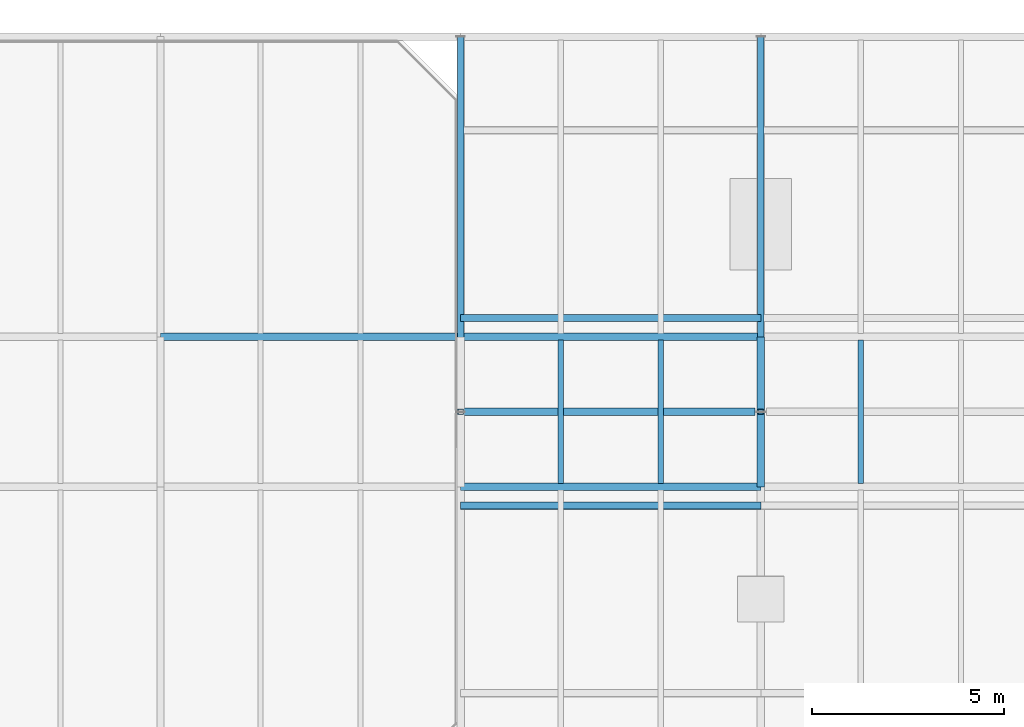
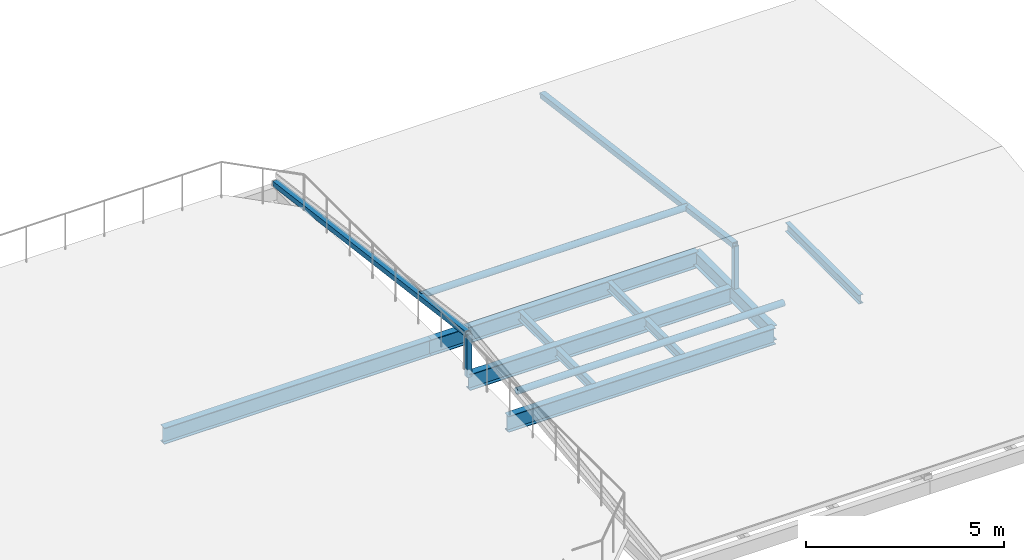
# One storey, part 13 of 45: 8 beams, 6 members.
"""IFC4 building model written with IfcOpenShell, lengths in metres."""

from ifc_helpers import new_model, si_unit, direction, frame, origin, origin_2d, place, context, subcontext, project, spatial, hollow_rectangle, hollow_circle, i_section, extrude, material, material_profile, profile_set, type_object, element, save


model = new_model("IFC4")

# Units and contexts
model_context = context("Model", 3, precision=1e-05, world=origin(), true_north=direction((0.0, 1.0)))
body_context = subcontext(model_context, "Body", "Model", "MODEL_VIEW")
ifc_project = project(units=[si_unit("LENGTHUNIT", "METRE"), si_unit("AREAUNIT", "SQUARE_METRE"), si_unit("VOLUMEUNIT", "CUBIC_METRE"), si_unit("PLANEANGLEUNIT", "RADIAN"), si_unit("MASSUNIT", "GRAM", prefix="KILO")], contexts=[model_context])

# Site, building, storey
site_placement = place(None, origin())
site = spatial("IfcSite", under=ifc_project, at=site_placement, CompositionType="ELEMENT")
building_placement = place(site_placement, origin())
building = spatial("IfcBuilding", under=site, at=building_placement, Name="Celorna Specialist Clinic", CompositionType="ELEMENT")
storey_placement = place(building_placement, frame((0.0, 0.0, 18.60009765625)))
storey = spatial("IfcBuildingStorey", under=building, at=storey_placement, Name="L04", CompositionType="ELEMENT", Elevation=18.60009765625)

# Beams
ifc_material = material(Name="Steel S355", Category="steel")
ifc_material_profile_1 = material_profile(ifc_material, i_section(OverallWidth=0.199951171875, OverallDepth=0.5, WebThickness=0.01025390625, FlangeThickness=0.01611328125, at=origin_2d()), Name="IPE 500")
ifc_profile_set_1 = profile_set([ifc_material_profile_1], Name="Steel S355")
beam_type_1 = type_object("IfcBeamType", Name="BM-08", PredefinedType="BEAM", material=ifc_profile_set_1)
for number, where, z_axis, x_axis, name in (
    (1, (117.0, 104.300048828125, -0.510009765625), (1.0, 0.0, 0.0), (0.0, 1.0, 0.0), "Primary girder BM-08 #2317"),
    (2, (109.199951171875, 108.199951171875, -0.510009765625), (1.0, 0.0, 0.0), (0.0, 1.0, 0.0), "Primary girder BM-08 #2321"),
    (3, (117.0, 108.199951171875, -0.510009765625), (1.0, 0.0, 0.0), (0.0, 1.0, 0.0), "Primary girder BM-08 #2322"),
):
    element("IfcBeam", number, at=place(storey_placement, frame(where, z_axis=z_axis, x_axis=x_axis)), inside=storey, type_object=beam_type_1, Name=name, PredefinedType="BEAM", context=body_context, shape_type="SweptSolid", body=[
        extrude(i_section(OverallWidth=0.199951171875, OverallDepth=0.5, WebThickness=0.01025390625, FlangeThickness=0.01611328125, at=origin_2d()), origin(), (0.0, 0.0, 1.0), 7.800048828125),
    ])
beam_1_placement = place(storey_placement, frame((117.0, 106.25, -0.400146484375), z_axis=(1.0, 0.0, 0.0), x_axis=(0.0, 1.0, 0.0)))
element("IfcBeam", 4, at=beam_1_placement, inside=storey, type_object=beam_type_1, Name="V4 central pavilion roof ridge girder", PredefinedType="BEAM", context=body_context, shape_type="SweptSolid", body=[
    extrude(i_section(OverallWidth=0.199951171875, OverallDepth=0.5, WebThickness=0.01025390625, FlangeThickness=0.01611328125, at=origin_2d()), origin(), (0.0, 0.0, 1.0), 7.64990234375),
])
ifc_material_profile_2 = material_profile(ifc_material, i_section(OverallWidth=0.18994140625, OverallDepth=0.449951171875, WebThickness=0.009521484375, FlangeThickness=0.0146484375, at=origin_2d()), Name="IPE 450")
ifc_profile_set_2 = profile_set([ifc_material_profile_2], Name="Steel S355")
beam_type_2 = type_object("IfcBeamType", Name="BM-09", PredefinedType="BEAM", material=ifc_profile_set_2)
beam_2_placement = place(storey_placement, frame((124.800048828125, 104.300048828125, -0.485107421875), z_axis=(0.0, 1.0, 0.0), x_axis=(-1.0, 0.0, 0.0)))
element("IfcBeam", 5, at=beam_2_placement, inside=storey, type_object=beam_type_2, Name="Transverse girder BM-09 #2339", PredefinedType="BEAM", context=body_context, shape_type="SweptSolid", body=[
    extrude(i_section(OverallWidth=0.18994140625, OverallDepth=0.449951171875, WebThickness=0.009521484375, FlangeThickness=0.0146484375, at=origin_2d()), origin(), (0.0, 0.0, 1.0), 3.89990234375),
])
ifc_material_profile_3 = material_profile(ifc_material, i_section(OverallWidth=0.135009765625, OverallDepth=0.27001953125, WebThickness=0.006591796875, FlangeThickness=0.01025390625, at=origin_2d()), Name="IPE 270")
ifc_profile_set_3 = profile_set([ifc_material_profile_3], Name="Steel S355")
beam_type_3 = type_object("IfcBeamType", Name="BM-14", PredefinedType="JOIST", material=ifc_profile_set_3)
for number, where, z_axis, x_axis, name in (
    (6, (119.60009765625, 104.387939453125, -0.39501953125), (0.0, 1.0, 0.0), (-1.0, 0.0, 0.0), "Secondary floor joist BM-14 #2364"),
    (7, (122.199951171875, 104.387939453125, -0.39501953125), (0.0, 1.0, 0.0), (-1.0, 0.0, 0.0), "Secondary floor joist BM-14 #2365"),
    (8, (127.39990234375, 104.387939453125, -0.39501953125), (0.0, 1.0, 0.0), (-1.0, 0.0, 0.0), "Secondary floor joist BM-14 #2370"),
):
    element("IfcBeam", number, at=place(storey_placement, frame(where, z_axis=z_axis, x_axis=x_axis)), inside=storey, type_object=beam_type_3, Name=name, PredefinedType="JOIST", context=body_context, shape_type="SweptSolid", body=[
        extrude(i_section(OverallWidth=0.135009765625, OverallDepth=0.27001953125, WebThickness=0.006591796875, FlangeThickness=0.01025390625, at=origin_2d()), origin(), (0.0, 0.0, 1.0), 3.72412109375),
    ])

# Members
ifc_material_profile_4 = material_profile(ifc_material, hollow_circle(Radius=0.096923828125, WallThickness=0.010009765625, at=origin_2d()), Name="CHS 193.7x10")
ifc_profile_set_4 = profile_set([ifc_material_profile_4], Name="Steel S355")
member_type_1 = type_object("IfcMemberType", Name="MB-04", PredefinedType="PURLIN", material=ifc_profile_set_4)
for number, where, z_axis, x_axis, name in (
    (9, (117.0, 103.8125, 0.760498046875), (1.0, 0.0, 0.0), (0.0, 1.0, 0.0), "Roof purlin WP-377-WP-378"),
    (10, (117.0, 108.6875, 0.760498046875), (1.0, 0.0, 0.0), (0.0, 1.0, 0.0), "Roof purlin WP-383-WP-384"),
):
    element("IfcMember", number, at=place(storey_placement, frame(where, z_axis=z_axis, x_axis=x_axis)), inside=storey, type_object=member_type_1, Name=name, PredefinedType="PURLIN", context=body_context, shape_type="SweptSolid", body=[
        extrude(hollow_circle(Radius=0.096923828125, WallThickness=0.010009765625, at=origin_2d()), origin(), (0.0, 0.0, 1.0), 7.800048828125),
    ])
ifc_material_profile_5 = material_profile(ifc_material, hollow_rectangle(XDim=0.159912109375, YDim=0.159912109375, WallThickness=0.010009765625, at=origin_2d()), Name="SHS 160x160x10")
ifc_profile_set_5 = profile_set([ifc_material_profile_5], Name="Steel S355")
member_type_2 = type_object("IfcMemberType", Name="MB-09", PredefinedType="CHORD", material=ifc_profile_set_5)
for number, where, z_axis, x_axis, name in (
    (11, (117.0, 106.25, 1.06787109375), (0.0, 0.991622826619, -0.129167216148), (-1.0, 0.0, 0.0), "Pitched roof rafter chord WP-369-WP-380"),
    (12, (124.800048828125, 106.25, 1.06787109375), (0.0, 0.991622826619, -0.129167216148), (-1.0, 0.0, 0.0), "Pitched roof rafter chord WP-371-WP-381"),
):
    element("IfcMember", number, at=place(storey_placement, frame(where, z_axis=z_axis, x_axis=x_axis)), inside=storey, type_object=member_type_2, Name=name, PredefinedType="CHORD", context=body_context, shape_type="SweptSolid", body=[
        extrude(hollow_rectangle(XDim=0.159912109375, YDim=0.159912109375, WallThickness=0.010009765625, at=origin_2d()), origin(), (0.0, 0.0, 1.0), 9.832275390625),
    ])
ifc_material_profile_6 = material_profile(ifc_material, hollow_rectangle(XDim=0.139892578125, YDim=0.139892578125, WallThickness=0.008056640625, at=origin_2d()), Name="SHS 140x140x8")
ifc_profile_set_6 = profile_set([ifc_material_profile_6], Name="Steel S355")
member_type_3 = type_object("IfcMemberType", Name="MB-10", PredefinedType="CHORD", material=ifc_profile_set_6)
for number, where, z_axis, x_axis, name in (
    (13, (117.0, 106.25, -0.25), (0.0, 0.0, 1.0), (1.0, 0.0, 0.0), "Roof ridge/eave support post ROOF-V4-MID-S"),
    (14, (124.800048828125, 106.25, -0.25), (0.0, 0.0, 1.0), (1.0, 0.0, 0.0), "Roof ridge/eave support post ROOF-V4-MID-S"),
):
    element("IfcMember", number, at=place(storey_placement, frame(where, z_axis=z_axis, x_axis=x_axis)), inside=storey, type_object=member_type_3, Name=name, PredefinedType="CHORD", context=body_context, shape_type="SweptSolid", body=[
        extrude(hollow_rectangle(XDim=0.139892578125, YDim=0.139892578125, WallThickness=0.008056640625, at=origin_2d()), origin(), (0.0, 0.0, 1.0), 1.31787109375),
    ])

save(model, "model.ifc")
